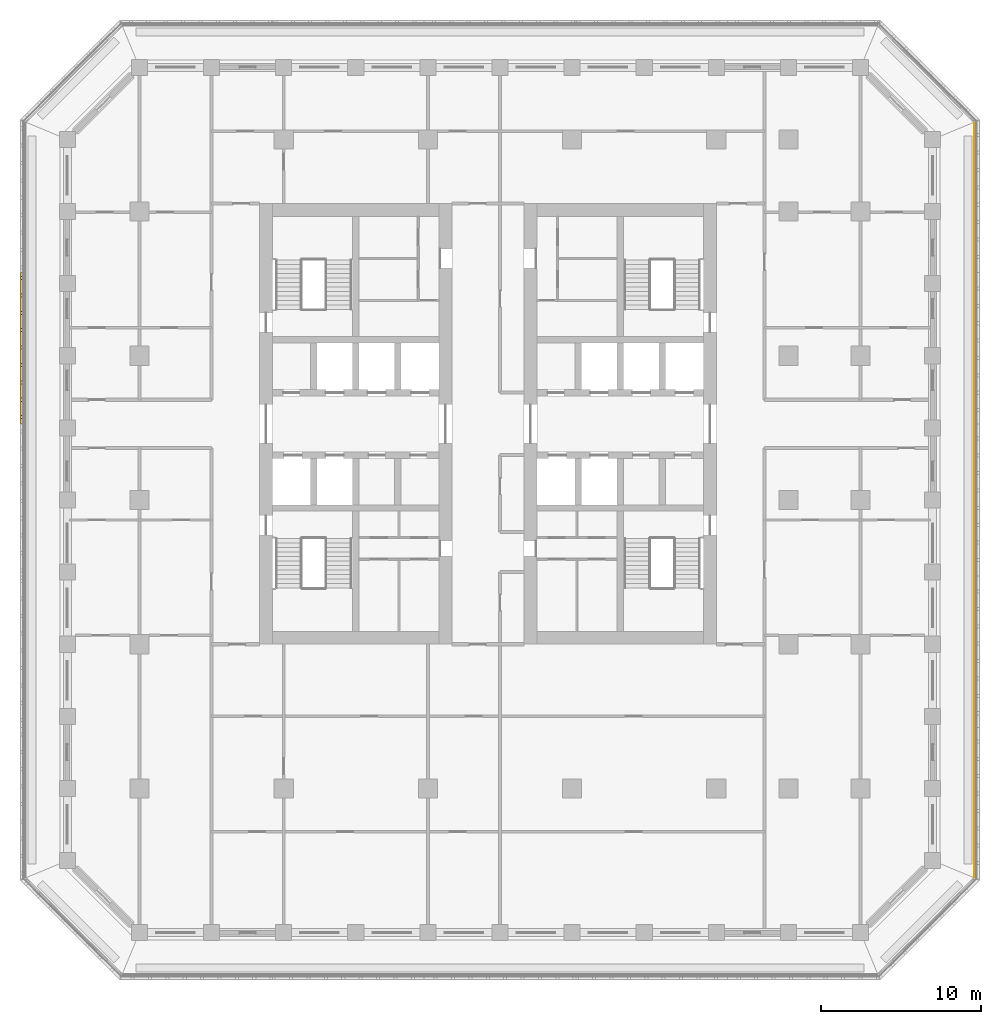
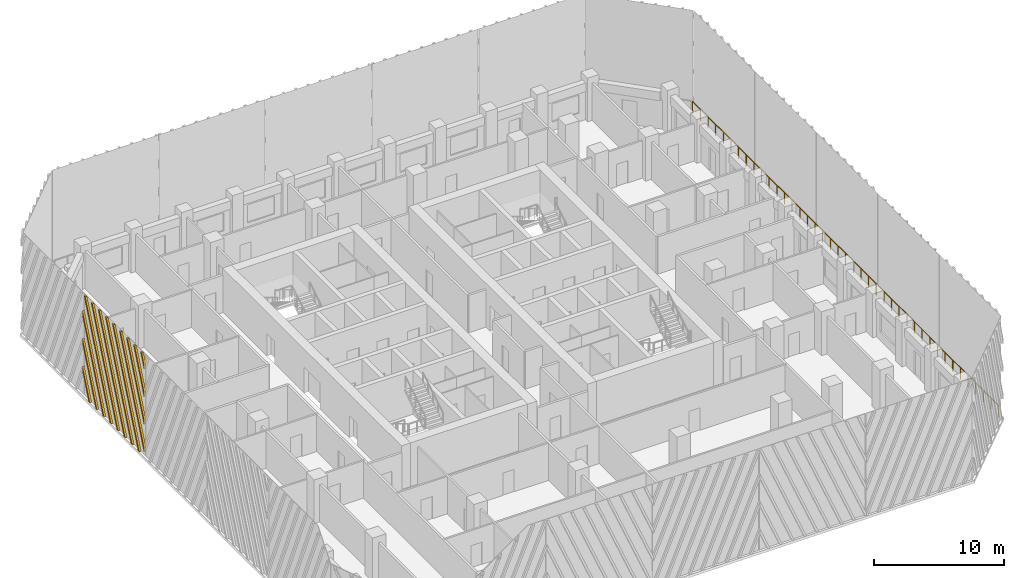
# One storey, part 13 of 17: 1 railing, 1 shading device.
"""IFC4 building model written with IfcOpenShell, lengths in metres."""

from ifc_helpers import new_model, si_unit, direction, frame, origin, origin_2d, place, context, subcontext, project, spatial, polyline, circle, outline, extrude, source, transform, mapped, material, type_object, element, save


model = new_model("IFC4")

# Units and contexts
model_context = context("Model", 3, precision=1e-05, world=origin(), true_north=direction((0.0, 1.0)))
body_context = subcontext(model_context, "Body", "Model", "MODEL_VIEW")
ifc_project = project(units=[si_unit("LENGTHUNIT", "METRE"), si_unit("AREAUNIT", "SQUARE_METRE"), si_unit("VOLUMEUNIT", "CUBIC_METRE"), si_unit("PLANEANGLEUNIT", "RADIAN"), si_unit("MASSUNIT", "GRAM", prefix="KILO")], contexts=[model_context])

# Site, building, storey
site_placement = place(None, origin())
site = spatial("IfcSite", under=ifc_project, at=site_placement, CompositionType="ELEMENT")
building_placement = place(site_placement, origin())
building = spatial("IfcBuilding", under=site, at=building_placement, Name="Corbel Stack Research Tower", CompositionType="ELEMENT")
storey_placement = place(building_placement, frame((0.0, 0.0, 216.10009765625)))
storey = spatial("IfcBuildingStorey", under=building, at=storey_placement, Name="L49", CompositionType="ELEMENT", Elevation=216.10009765625)

# Railing
ifc_material_1 = material(Name="Powder-coated steel guard", Category="steel")
railing_type = type_object("IfcRailingType", Name="Steel and glass guard 1100", PredefinedType="GUARDRAIL", material=ifc_material_1)
railing_placement = place(storey_placement, frame((34.10009765625, -23.50537109375, 0.0)))
element("IfcRailing", 1, at=railing_placement, inside=storey, type_object=railing_type, Name="Loggia guard L49 E", PredefinedType="GUARDRAIL", context=body_context, shape_type="SweptSolid", body=[
    extrude(circle(Radius=0.02392578125, at=origin_2d()), frame((0.0, 0.0, 1.076171875), z_axis=(0.0, 1.0, 0.0), x_axis=(-1.0, 0.0, 0.0)), (0.0, 0.0, 1.0), 47.0107421875),
    extrude(circle(Radius=0.02099609375, at=origin_2d()), origin(), (0.0, 0.0, 1.0), 1.052001953125),
    extrude(circle(Radius=0.02099609375, at=origin_2d()), frame((0.0, 1.17529296875, 0.0)), (0.0, 0.0, 1.0), 1.052001953125),
    extrude(circle(Radius=0.02099609375, at=origin_2d()), frame((0.0, 2.3505859375, 0.0)), (0.0, 0.0, 1.0), 1.052001953125),
    extrude(circle(Radius=0.02099609375, at=origin_2d()), frame((0.0, 3.52587890625, 0.0)), (0.0, 0.0, 1.0), 1.052001953125),
    extrude(circle(Radius=0.02099609375, at=origin_2d()), frame((0.0, 4.701171875, 0.0)), (0.0, 0.0, 1.0), 1.052001953125),
    extrude(circle(Radius=0.02099609375, at=origin_2d()), frame((0.0, 5.87646484375, 0.0)), (0.0, 0.0, 1.0), 1.052001953125),
    extrude(circle(Radius=0.02099609375, at=origin_2d()), frame((0.0, 7.051513671875, 0.0)), (0.0, 0.0, 1.0), 1.052001953125),
    extrude(circle(Radius=0.02099609375, at=origin_2d()), frame((0.0, 8.226806640625, 0.0)), (0.0, 0.0, 1.0), 1.052001953125),
    extrude(circle(Radius=0.02099609375, at=origin_2d()), frame((0.0, 9.402099609375, 0.0)), (0.0, 0.0, 1.0), 1.052001953125),
    extrude(circle(Radius=0.02099609375, at=origin_2d()), frame((0.0, 10.577392578125, 0.0)), (0.0, 0.0, 1.0), 1.052001953125),
    extrude(circle(Radius=0.02099609375, at=origin_2d()), frame((0.0, 11.752685546875, 0.0)), (0.0, 0.0, 1.0), 1.052001953125),
    extrude(circle(Radius=0.02099609375, at=origin_2d()), frame((0.0, 12.927978515625, 0.0)), (0.0, 0.0, 1.0), 1.052001953125),
    extrude(circle(Radius=0.02099609375, at=origin_2d()), frame((0.0, 14.103271484375, 0.0)), (0.0, 0.0, 1.0), 1.052001953125),
    extrude(circle(Radius=0.02099609375, at=origin_2d()), frame((0.0, 15.278564453125, 0.0)), (0.0, 0.0, 1.0), 1.052001953125),
    extrude(circle(Radius=0.02099609375, at=origin_2d()), frame((0.0, 16.453857421875, 0.0)), (0.0, 0.0, 1.0), 1.052001953125),
    extrude(circle(Radius=0.02099609375, at=origin_2d()), frame((0.0, 17.62890625, 0.0)), (0.0, 0.0, 1.0), 1.052001953125),
    extrude(circle(Radius=0.02099609375, at=origin_2d()), frame((0.0, 18.80419921875, 0.0)), (0.0, 0.0, 1.0), 1.052001953125),
    extrude(circle(Radius=0.02099609375, at=origin_2d()), frame((0.0, 19.9794921875, 0.0)), (0.0, 0.0, 1.0), 1.052001953125),
    extrude(circle(Radius=0.02099609375, at=origin_2d()), frame((0.0, 21.15478515625, 0.0)), (0.0, 0.0, 1.0), 1.052001953125),
    extrude(circle(Radius=0.02099609375, at=origin_2d()), frame((0.0, 22.330078125, 0.0)), (0.0, 0.0, 1.0), 1.052001953125),
    extrude(circle(Radius=0.02099609375, at=origin_2d()), frame((0.0, 23.50537109375, 0.0)), (0.0, 0.0, 1.0), 1.052001953125),
    extrude(circle(Radius=0.02099609375, at=origin_2d()), frame((0.0, 24.6806640625, 0.0)), (0.0, 0.0, 1.0), 1.052001953125),
    extrude(circle(Radius=0.02099609375, at=origin_2d()), frame((0.0, 25.85595703125, 0.0)), (0.0, 0.0, 1.0), 1.052001953125),
    extrude(circle(Radius=0.02099609375, at=origin_2d()), frame((0.0, 27.03125, 0.0)), (0.0, 0.0, 1.0), 1.052001953125),
    extrude(circle(Radius=0.02099609375, at=origin_2d()), frame((0.0, 28.20654296875, 0.0)), (0.0, 0.0, 1.0), 1.052001953125),
    extrude(circle(Radius=0.02099609375, at=origin_2d()), frame((0.0, 29.3818359375, 0.0)), (0.0, 0.0, 1.0), 1.052001953125),
    extrude(circle(Radius=0.02099609375, at=origin_2d()), frame((0.0, 30.556884765625, 0.0)), (0.0, 0.0, 1.0), 1.052001953125),
    extrude(circle(Radius=0.02099609375, at=origin_2d()), frame((0.0, 31.732177734375, 0.0)), (0.0, 0.0, 1.0), 1.052001953125),
    extrude(circle(Radius=0.02099609375, at=origin_2d()), frame((0.0, 32.907470703125, 0.0)), (0.0, 0.0, 1.0), 1.052001953125),
    extrude(circle(Radius=0.02099609375, at=origin_2d()), frame((0.0, 34.082763671875, 0.0)), (0.0, 0.0, 1.0), 1.052001953125),
    extrude(circle(Radius=0.02099609375, at=origin_2d()), frame((0.0, 35.258056640625, 0.0)), (0.0, 0.0, 1.0), 1.052001953125),
    extrude(circle(Radius=0.02099609375, at=origin_2d()), frame((0.0, 36.433349609375, 0.0)), (0.0, 0.0, 1.0), 1.052001953125),
    extrude(circle(Radius=0.02099609375, at=origin_2d()), frame((0.0, 37.608642578125, 0.0)), (0.0, 0.0, 1.0), 1.052001953125),
    extrude(circle(Radius=0.02099609375, at=origin_2d()), frame((0.0, 38.783935546875, 0.0)), (0.0, 0.0, 1.0), 1.052001953125),
    extrude(circle(Radius=0.02099609375, at=origin_2d()), frame((0.0, 39.959228515625, 0.0)), (0.0, 0.0, 1.0), 1.052001953125),
    extrude(circle(Radius=0.02099609375, at=origin_2d()), frame((0.0, 41.13427734375, 0.0)), (0.0, 0.0, 1.0), 1.052001953125),
    extrude(circle(Radius=0.02099609375, at=origin_2d()), frame((0.0, 42.3095703125, 0.0)), (0.0, 0.0, 1.0), 1.052001953125),
    extrude(circle(Radius=0.02099609375, at=origin_2d()), frame((0.0, 43.48486328125, 0.0)), (0.0, 0.0, 1.0), 1.052001953125),
    extrude(circle(Radius=0.02099609375, at=origin_2d()), frame((0.0, 44.66015625, 0.0)), (0.0, 0.0, 1.0), 1.052001953125),
    extrude(circle(Radius=0.02099609375, at=origin_2d()), frame((0.0, 45.83544921875, 0.0)), (0.0, 0.0, 1.0), 1.052001953125),
    extrude(circle(Radius=0.02099609375, at=origin_2d()), frame((0.0, 47.0107421875, 0.0)), (0.0, 0.0, 1.0), 1.052001953125),
])

# Shading device
ifc_material_2 = material(Name="Precast terracotta", Category="masonry")
shading_device_type = type_object("IfcShadingDeviceType", Name="Terracotta screen panel", PredefinedType="USERDEFINED", material=ifc_material_2)
shared_shape = source(origin(), body_context, "Body", "SweptSolid", [
    extrude(outline(polyline([(1.14453125, 0.0), (0.0, 2.740478515625), (0.0, 2.285400390625), (0.95458984375, 0.0), (1.14453125, 0.0)])), frame((0.0, 0.0, 0.0), z_axis=(0.0, -1.0, 0.0), x_axis=(1.0, 0.0, 0.0)), (0.0, 0.0, 1.0), 0.179931640625),
    extrude(outline(polyline([(2.22900390625, 0.0), (0.0, 5.337646484375), (0.0, 4.882568359375), (2.0390625, 0.0), (2.22900390625, 0.0)])), frame((0.0, 0.0, 0.0), z_axis=(0.0, -1.0, 0.0), x_axis=(1.0, 0.0, 0.0)), (0.0, 0.0, 1.0), 0.179931640625),
    extrude(outline(polyline([(3.313720703125, 0.0), (0.0, 7.934814453125), (0.0, 7.479736328125), (3.123779296875, 0.0), (3.313720703125, 0.0)])), frame((0.0, 0.0, 0.0), z_axis=(0.0, -1.0, 0.0), x_axis=(1.0, 0.0, 0.0)), (0.0, 0.0, 1.0), 0.179931640625),
    extrude(outline(polyline([(4.3984375, 0.0), (0.430908203125, 9.5), (0.240966796875, 9.5), (4.20849609375, 0.0), (4.3984375, 0.0)])), frame((0.0, 0.0, 0.0), z_axis=(0.0, -1.0, 0.0), x_axis=(1.0, 0.0, 0.0)), (0.0, 0.0, 1.0), 0.179931640625),
    extrude(outline(polyline([(5.483154296875, 0.0), (1.515625, 9.5), (1.32568359375, 9.5), (5.293212890625, 0.0), (5.483154296875, 0.0)])), frame((0.0, 0.0, 0.0), z_axis=(0.0, -1.0, 0.0), x_axis=(1.0, 0.0, 0.0)), (0.0, 0.0, 1.0), 0.179931640625),
    extrude(outline(polyline([(6.56787109375, 0.0), (2.600341796875, 9.5), (2.410400390625, 9.5), (6.377685546875, 0.0), (6.56787109375, 0.0)])), frame((0.0, 0.0, 0.0), z_axis=(0.0, -1.0, 0.0), x_axis=(1.0, 0.0, 0.0)), (0.0, 0.0, 1.0), 0.179931640625),
    extrude(outline(polyline([(7.652587890625, 0.0), (3.68505859375, 9.5), (3.4951171875, 9.5), (7.46240234375, 0.0), (7.652587890625, 0.0)])), frame((0.0, 0.0, 0.0), z_axis=(0.0, -1.0, 0.0), x_axis=(1.0, 0.0, 0.0)), (0.0, 0.0, 1.0), 0.179931640625),
    extrude(outline(polyline([(8.737060546875, 0.0), (4.76953125, 9.5), (4.57958984375, 9.5), (8.547119140625, 0.0), (8.737060546875, 0.0)])), frame((0.0, 0.0, 0.0), z_axis=(0.0, -1.0, 0.0), x_axis=(1.0, 0.0, 0.0)), (0.0, 0.0, 1.0), 0.179931640625),
    extrude(outline(polyline([(5.854248046875, 9.5), (5.664306640625, 9.5), (9.45556640625, 0.421875), (9.45556640625, 0.876708984375), (5.854248046875, 9.5)])), frame((0.0, 0.0, 0.0), z_axis=(0.0, -1.0, 0.0), x_axis=(1.0, 0.0, 0.0)), (0.0, 0.0, 1.0), 0.179931640625),
    extrude(outline(polyline([(6.93896484375, 9.5), (6.7490234375, 9.5), (9.45556640625, 3.01904296875), (9.45556640625, 3.473876953125), (6.93896484375, 9.5)])), frame((0.0, 0.0, 0.0), z_axis=(0.0, -1.0, 0.0), x_axis=(1.0, 0.0, 0.0)), (0.0, 0.0, 1.0), 0.179931640625),
    extrude(outline(polyline([(8.023681640625, 9.5), (7.83349609375, 9.5), (9.45556640625, 5.6162109375), (9.45556640625, 6.071044921875), (8.023681640625, 9.5)])), frame((0.0, 0.0, 0.0), z_axis=(0.0, -1.0, 0.0), x_axis=(1.0, 0.0, 0.0)), (0.0, 0.0, 1.0), 0.179931640625),
    extrude(outline(polyline([(9.1083984375, 9.5), (8.918212890625, 9.5), (9.45556640625, 8.21337890625), (9.45556640625, 8.668212890625), (9.1083984375, 9.5)])), frame((0.0, 0.0, 0.0), z_axis=(0.0, -1.0, 0.0), x_axis=(1.0, 0.0, 0.0)), (0.0, 0.0, 1.0), 0.179931640625),
])
shading_device_placement = place(storey_placement, frame((-25.25, 14.18359375, 0.0), z_axis=(0.0, 0.0, 1.0), x_axis=(0.0, -1.0, 0.0)))
element("IfcShadingDevice", 2, at=shading_device_placement, inside=storey, type_object=shading_device_type, Name="Terracotta screen L49 W2", ObjectType="SCREEN", PredefinedType="USERDEFINED", context=body_context, shape_type="MappedRepresentation", body=[
    mapped(shared_shape, transform((0.0, 0.0, 0.0))),
])

save(model, "model.ifc")
